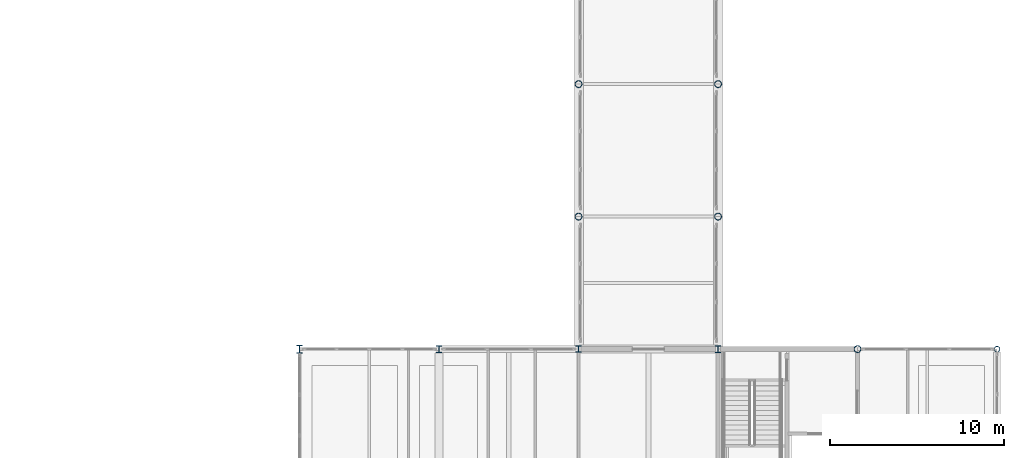
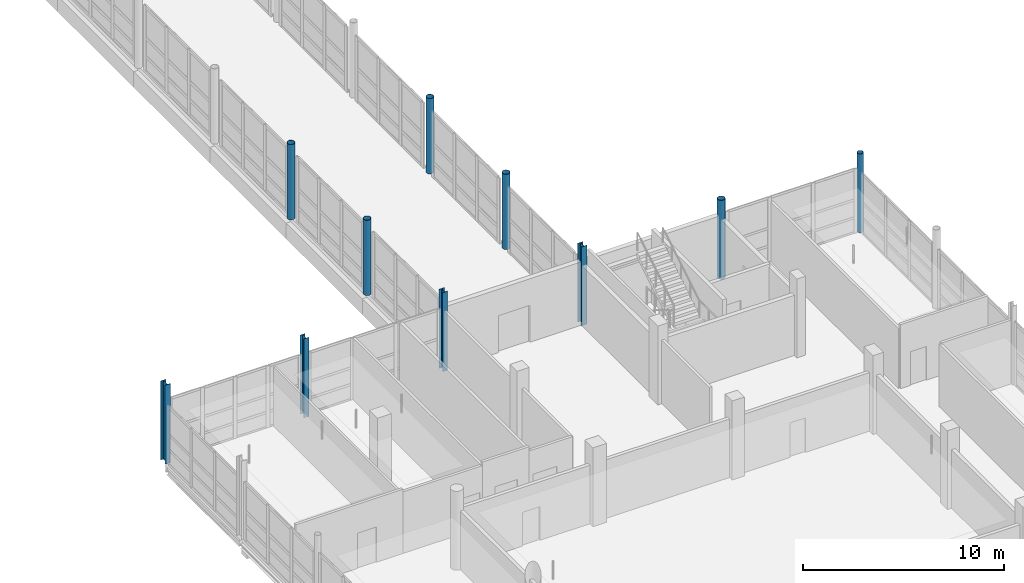
# One storey, part 8 of 141: 10 columns.
"""IFC4 building model written with IfcOpenShell, lengths in metres."""

from ifc_helpers import new_model, si_unit, direction, frame, origin, origin_2d, place, context, subcontext, project, spatial, hollow_circle, i_section, extrude, material, material_profile, profile_set, type_object, element, save


model = new_model("IFC4")

# Units and contexts
model_context = context("Model", 3, precision=1e-05, world=origin(), true_north=direction((0.0, 1.0)))
body_context = subcontext(model_context, "Body", "Model", "MODEL_VIEW")
ifc_project = project(units=[si_unit("LENGTHUNIT", "METRE"), si_unit("AREAUNIT", "SQUARE_METRE"), si_unit("VOLUMEUNIT", "CUBIC_METRE"), si_unit("PLANEANGLEUNIT", "RADIAN"), si_unit("MASSUNIT", "GRAM", prefix="KILO")], contexts=[model_context])

# Site, building, storey
site_placement = place(None, origin())
site = spatial("IfcSite", under=ifc_project, at=site_placement, CompositionType="ELEMENT")
building_placement = place(site_placement, origin())
building = spatial("IfcBuilding", under=site, at=building_placement, Name="Khelvaren Railside Concert Hall", CompositionType="ELEMENT")
storey_placement = place(building_placement, frame((0.0, 0.0, 10.199951171875)))
storey = spatial("IfcBuildingStorey", under=building, at=storey_placement, Name="L02", CompositionType="ELEMENT", Elevation=10.199951171875)

# Columns
ifc_material = material(Name="Steel S355", Category="steel")
ifc_material_profile_1 = material_profile(ifc_material, i_section(OverallWidth=0.300048828125, OverallDepth=0.360107421875, WebThickness=0.012451171875, FlangeThickness=0.0224609375, FilletRadius=0.027099609375, at=origin_2d()), Name="HEB 360")
ifc_profile_set_1 = profile_set([ifc_material_profile_1], Name="Steel S355")
column_type_1 = type_object("IfcColumnType", Name="COL12", PredefinedType="COLUMN", material=ifc_profile_set_1)
column_1_placement = place(storey_placement, frame((160.0, 38.0, 0.0), z_axis=(0.0, 0.0, 1.0), x_axis=(1.0, 0.0, 0.0)))
element("IfcColumn", 1, at=column_1_placement, inside=storey, type_object=column_type_1, Name="V2 L02 Column (160.0,38.0)", PredefinedType="COLUMN", context=body_context, shape_type="SweptSolid", body=[
    extrude(i_section(OverallWidth=0.300048828125, OverallDepth=0.360107421875, WebThickness=0.012451171875, FlangeThickness=0.0224609375, FilletRadius=0.027099609375, at=origin_2d()), origin(), (0.0, 0.0, 1.0), 4.800048828125),
])
ifc_material_profile_2 = material_profile(ifc_material, i_section(OverallWidth=0.300048828125, OverallDepth=0.389892578125, WebThickness=0.010986328125, FlangeThickness=0.01904296875, FilletRadius=0.027099609375, at=origin_2d()), Name="HEA 400")
ifc_profile_set_2 = profile_set([ifc_material_profile_2], Name="Steel S355")
column_type_2 = type_object("IfcColumnType", Name="COL23", PredefinedType="COLUMN", material=ifc_profile_set_2)
column_2_placement = place(storey_placement, frame((168.0, 38.0, 0.0), z_axis=(0.0, 0.0, 1.0), x_axis=(1.0, 0.0, 0.0)))
element("IfcColumn", 2, at=column_2_placement, inside=storey, type_object=column_type_2, Name="V2 L02 Column (168.0,38.0)", PredefinedType="COLUMN", context=body_context, shape_type="SweptSolid", body=[
    extrude(i_section(OverallWidth=0.300048828125, OverallDepth=0.389892578125, WebThickness=0.010986328125, FlangeThickness=0.01904296875, FilletRadius=0.027099609375, at=origin_2d()), origin(), (0.0, 0.0, 1.0), 4.800048828125),
])
ifc_material_profile_3 = material_profile(ifc_material, hollow_circle(Radius=0.203125, WallThickness=0.02001953125, at=origin_2d()), Name="CHS 406.4x20")
ifc_profile_set_3 = profile_set([ifc_material_profile_3], Name="Steel S355")
column_type_3 = type_object("IfcColumnType", Name="COL27", PredefinedType="COLUMN", material=ifc_profile_set_3)
column_3_placement = place(storey_placement, frame((176.0, 38.0, 0.0), z_axis=(0.0, 0.0, 1.0), x_axis=(1.0, 0.0, 0.0)))
element("IfcColumn", 3, at=column_3_placement, inside=storey, type_object=column_type_3, Name="V2 L02 Column (176.0,38.0)", PredefinedType="COLUMN", context=body_context, shape_type="SweptSolid", body=[
    extrude(hollow_circle(Radius=0.203125, WallThickness=0.02001953125, at=origin_2d()), origin(), (0.0, 0.0, 1.0), 4.800048828125),
])
for number, where, z_axis, x_axis, name in (
    (4, (160.0, 45.60009765625, 0.0), (0.0, 0.0, 1.0), (1.0, 0.0, 0.0), "LB4 L02 Bridge Pier (160,45.6)"),
    (5, (160.0, 53.199951171875, 0.0), (0.0, 0.0, 1.0), (1.0, 0.0, 0.0), "LB4 L02 Bridge Pier (160,53.2)"),
    (6, (168.0, 45.60009765625, 0.0), (0.0, 0.0, 1.0), (1.0, 0.0, 0.0), "LB4 L02 Bridge Pier (168,45.6)"),
    (7, (168.0, 53.199951171875, 0.0), (0.0, 0.0, 1.0), (1.0, 0.0, 0.0), "LB4 L02 Bridge Pier (168,53.2)"),
):
    element("IfcColumn", number, at=place(storey_placement, frame(where, z_axis=z_axis, x_axis=x_axis)), inside=storey, type_object=column_type_3, Name=name, PredefinedType="COLUMN", context=body_context, shape_type="SweptSolid", body=[
        extrude(hollow_circle(Radius=0.203125, WallThickness=0.02001953125, at=origin_2d()), origin(), (0.0, 0.0, 1.0), 4.580078125),
    ])
ifc_material_profile_4 = material_profile(ifc_material, hollow_circle(Radius=0.161865234375, WallThickness=0.01611328125, at=origin_2d()), Name="CHS 323.9x16")
ifc_profile_set_4 = profile_set([ifc_material_profile_4], Name="Steel S355")
column_type_4 = type_object("IfcColumnType", Name="COL47", PredefinedType="COLUMN", material=ifc_profile_set_4)
column_4_placement = place(storey_placement, frame((184.0, 38.0, 0.0), z_axis=(0.0, 0.0, 1.0), x_axis=(1.0, 0.0, 0.0)))
element("IfcColumn", 8, at=column_4_placement, inside=storey, type_object=column_type_4, Name="V2 L02 Column (184.0,38.0)", PredefinedType="COLUMN", context=body_context, shape_type="SweptSolid", body=[
    extrude(hollow_circle(Radius=0.161865234375, WallThickness=0.01611328125, at=origin_2d()), origin(), (0.0, 0.0, 1.0), 4.800048828125),
])
ifc_material_profile_5 = material_profile(ifc_material, i_section(OverallWidth=0.300048828125, OverallDepth=0.449951171875, WebThickness=0.013916015625, FlangeThickness=0.02587890625, FilletRadius=0.027099609375, at=origin_2d()), Name="HEB 450")
ifc_profile_set_5 = profile_set([ifc_material_profile_5], Name="Steel S355")
column_type_5 = type_object("IfcColumnType", Name="COL77", PredefinedType="COLUMN", material=ifc_profile_set_5)
column_5_placement = place(storey_placement, frame((144.0, 38.0, 0.0), z_axis=(0.0, 0.0, 1.0), x_axis=(1.0, 0.0, 0.0)))
element("IfcColumn", 9, at=column_5_placement, inside=storey, type_object=column_type_5, Name="V2 L02 Column (144.0,38.0)", PredefinedType="COLUMN", context=body_context, shape_type="SweptSolid", body=[
    extrude(i_section(OverallWidth=0.300048828125, OverallDepth=0.449951171875, WebThickness=0.013916015625, FlangeThickness=0.02587890625, FilletRadius=0.027099609375, at=origin_2d()), origin(), (0.0, 0.0, 1.0), 4.800048828125),
])
ifc_material_profile_6 = material_profile(ifc_material, i_section(OverallWidth=0.300048828125, OverallDepth=0.39990234375, WebThickness=0.013427734375, FlangeThickness=0.02392578125, FilletRadius=0.027099609375, at=origin_2d()), Name="HEB 400")
ifc_profile_set_6 = profile_set([ifc_material_profile_6], Name="Steel S355")
column_type_6 = type_object("IfcColumnType", Name="COL88", PredefinedType="COLUMN", material=ifc_profile_set_6)
column_6_placement = place(storey_placement, frame((152.0, 38.0, 0.0), z_axis=(0.0, 0.0, 1.0), x_axis=(1.0, 0.0, 0.0)))
element("IfcColumn", 10, at=column_6_placement, inside=storey, type_object=column_type_6, Name="V2 L02 Column (152.0,38.0)", PredefinedType="COLUMN", context=body_context, shape_type="SweptSolid", body=[
    extrude(i_section(OverallWidth=0.300048828125, OverallDepth=0.39990234375, WebThickness=0.013427734375, FlangeThickness=0.02392578125, FilletRadius=0.027099609375, at=origin_2d()), origin(), (0.0, 0.0, 1.0), 4.800048828125),
])

save(model, "model.ifc")
